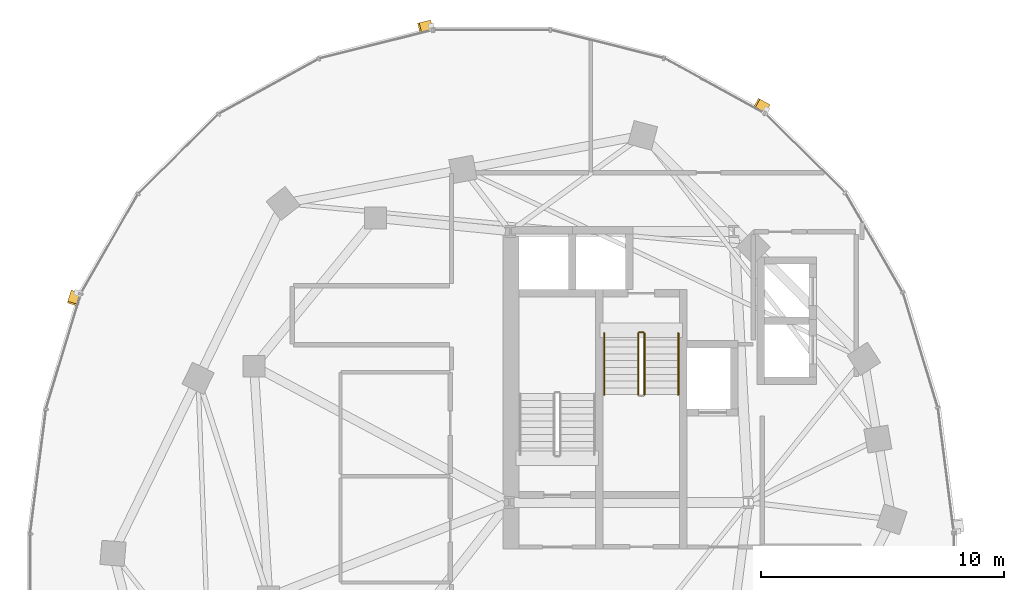
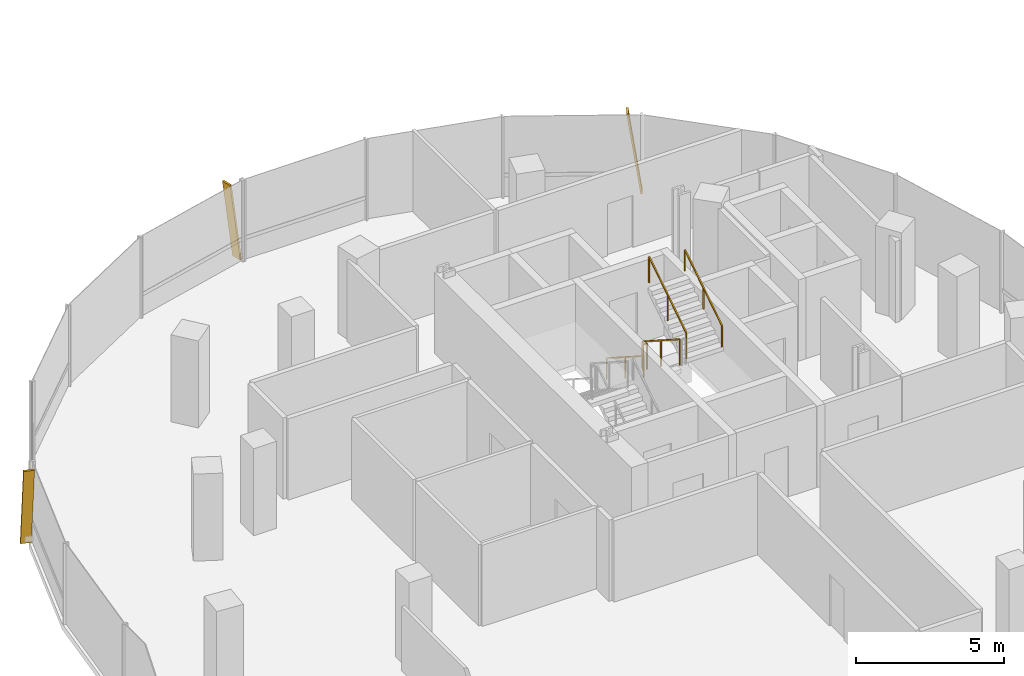
# One storey, part 19 of 21: 5 railings, 3 shading devices.
"""IFC4 building model written with IfcOpenShell, lengths in metres."""

from ifc_helpers import new_model, si_unit, direction, frame, origin, origin_2d, place, context, subcontext, project, spatial, rectangle, extrude, material, material_profile, profile_set, type_object, element, save


model = new_model("IFC4")

# Units and contexts
model_context = context("Model", 3, precision=1e-05, world=origin(), true_north=direction((0.0, 1.0)))
body_context = subcontext(model_context, "Body", "Model", "MODEL_VIEW")
ifc_project = project(units=[si_unit("LENGTHUNIT", "METRE"), si_unit("AREAUNIT", "SQUARE_METRE"), si_unit("VOLUMEUNIT", "CUBIC_METRE"), si_unit("PLANEANGLEUNIT", "RADIAN"), si_unit("MASSUNIT", "GRAM", prefix="KILO"), si_unit("THERMODYNAMICTEMPERATUREUNIT", "KELVIN"), si_unit("POWERUNIT", "WATT")], contexts=[model_context])

# Site, building, storey
site_placement = place(None, origin())
site = spatial("IfcSite", under=ifc_project, at=site_placement, CompositionType="ELEMENT")
building_placement = place(site_placement, origin())
building = spatial("IfcBuilding", under=site, at=building_placement, Name="Cundina Bronze Exchange", CompositionType="ELEMENT")
storey_placement = place(building_placement, frame((0.0, 0.0, 180.0)))
storey = spatial("IfcBuildingStorey", under=building, at=storey_placement, Name="L47", CompositionType="ELEMENT", Elevation=180.0)

# Railings
ifc_material_1 = material(Name="Steel ASTM A36 Painted", Category="steel")
railing_type_1 = type_object("IfcRailingType", Name="RLG-HND-900", PredefinedType="HANDRAIL", material=ifc_material_1)
railing_1_placement = place(storey_placement, frame((-27.389892578125, 10.85009765625, 0.179931640625)))
element("IfcRailing", 1, at=railing_1_placement, inside=storey, type_object=railing_type_1, Name="L47 ST-W2 stair handrail 1", PredefinedType="HANDRAIL", context=body_context, shape_type="SweptSolid", body=[
    extrude(rectangle(XDim=0.048095703125, YDim=0.048095703125, at=origin_2d()), frame((0.0, 0.0, 0.8759765625), z_axis=(0.0, -0.841162588446, 0.540782303519), x_axis=(1.0, 0.0, 0.0)), (0.0, 0.0, 1.0), 2.995849609375),
    extrude(rectangle(XDim=0.0419921875, YDim=0.0419921875, at=origin_2d()), origin(), (0.0, 0.0, 1.0), 0.851806640625),
    extrude(rectangle(XDim=0.0419921875, YDim=0.0419921875, at=origin_2d()), frame((0.0, -1.260009765625, 0.81005859375)), (0.0, 0.0, 1.0), 0.851806640625),
    extrude(rectangle(XDim=0.0419921875, YDim=0.0419921875, at=origin_2d()), frame((0.0, -2.52001953125, 1.6201171875)), (0.0, 0.0, 1.0), 0.851806640625),
])
railing_2_placement = place(storey_placement, frame((-24.330078125, 8.330078125, 1.97998046875)))
element("IfcRailing", 2, at=railing_2_placement, inside=storey, type_object=railing_type_1, Name="L47 ST-W2 stair handrail 2", PredefinedType="HANDRAIL", context=body_context, shape_type="SweptSolid", body=[
    extrude(rectangle(XDim=0.048095703125, YDim=0.048095703125, at=origin_2d()), frame((0.0, 0.0, 0.8759765625), z_axis=(0.0, 0.841162588446, 0.540782303519), x_axis=(-1.0, 0.0, 0.0)), (0.0, 0.0, 1.0), 2.995849609375),
    extrude(rectangle(XDim=0.0419921875, YDim=0.0419921875, at=origin_2d()), origin(), (0.0, 0.0, 1.0), 0.851806640625),
    extrude(rectangle(XDim=0.0419921875, YDim=0.0419921875, at=origin_2d()), frame((0.0, 1.260009765625, 0.81005859375)), (0.0, 0.0, 1.0), 0.851806640625),
    extrude(rectangle(XDim=0.0419921875, YDim=0.0419921875, at=origin_2d()), frame((0.0, 2.52001953125, 1.6201171875)), (0.0, 0.0, 1.0), 0.851806640625),
])
railing_type_2 = type_object("IfcRailingType", Name="RLG-STG-1100", PredefinedType="GUARDRAIL", material=ifc_material_1)
railing_3_placement = place(storey_placement, frame((-25.989990234375, 10.85009765625, 0.179931640625)))
element("IfcRailing", 3, at=railing_3_placement, inside=storey, type_object=railing_type_2, Name="L47 ST-W2 stair guard 1", PredefinedType="GUARDRAIL", context=body_context, shape_type="SweptSolid", body=[
    extrude(rectangle(XDim=0.048095703125, YDim=0.048095703125, at=origin_2d()), frame((0.0, 0.0, 1.076171875), z_axis=(0.0, -0.841162588446, 0.540782303519), x_axis=(1.0, 0.0, 0.0)), (0.0, 0.0, 1.0), 2.995849609375),
    extrude(rectangle(XDim=0.0419921875, YDim=0.0419921875, at=origin_2d()), origin(), (0.0, 0.0, 1.0), 1.052001953125),
    extrude(rectangle(XDim=0.0419921875, YDim=0.0419921875, at=origin_2d()), frame((0.0, -1.260009765625, 0.81005859375)), (0.0, 0.0, 1.0), 1.052001953125),
    extrude(rectangle(XDim=0.0419921875, YDim=0.0419921875, at=origin_2d()), frame((0.0, -2.52001953125, 1.6201171875)), (0.0, 0.0, 1.0), 1.052001953125),
])
railing_4_placement = place(storey_placement, frame((-25.72998046875, 8.330078125, 1.97998046875)))
element("IfcRailing", 4, at=railing_4_placement, inside=storey, type_object=railing_type_2, Name="L47 ST-W2 stair guard 3", PredefinedType="GUARDRAIL", context=body_context, shape_type="SweptSolid", body=[
    extrude(rectangle(XDim=0.048095703125, YDim=0.048095703125, at=origin_2d()), frame((0.0, 0.0, 1.076171875), z_axis=(0.0, 0.841162588446, 0.540782303519), x_axis=(-1.0, 0.0, 0.0)), (0.0, 0.0, 1.0), 2.995849609375),
    extrude(rectangle(XDim=0.0419921875, YDim=0.0419921875, at=origin_2d()), origin(), (0.0, 0.0, 1.0), 1.052001953125),
    extrude(rectangle(XDim=0.0419921875, YDim=0.0419921875, at=origin_2d()), frame((0.0, 1.260009765625, 0.81005859375)), (0.0, 0.0, 1.0), 1.052001953125),
    extrude(rectangle(XDim=0.0419921875, YDim=0.0419921875, at=origin_2d()), frame((0.0, 2.52001953125, 1.6201171875)), (0.0, 0.0, 1.0), 1.052001953125),
])
railing_5_placement = place(storey_placement, frame((-25.93994140625, 10.89990234375, 0.0)))
element("IfcRailing", 5, at=railing_5_placement, inside=storey, type_object=railing_type_2, Name="L47 ST-W2 stair guard 4", PredefinedType="GUARDRAIL", context=body_context, shape_type="SweptSolid", body=[
    extrude(rectangle(XDim=0.048095703125, YDim=0.048095703125, at=origin_2d()), frame((0.0, 0.0, 1.076171875), z_axis=(1.0, 0.0, 0.0), x_axis=(0.0, 1.0, 0.0)), (0.0, 0.0, 1.0), 0.159912109375),
    extrude(rectangle(XDim=0.0419921875, YDim=0.0419921875, at=origin_2d()), origin(), (0.0, 0.0, 1.0), 1.052001953125),
    extrude(rectangle(XDim=0.0419921875, YDim=0.0419921875, at=origin_2d()), frame((0.159912109375, 0.0, 0.0)), (0.0, 0.0, 1.0), 1.052001953125),
])

# Shading devices
ifc_material_2 = material(Name="Anodised Bronze Aluminium 6063-T6", Category="aluminium")
ifc_material_profile = material_profile(ifc_material_2, rectangle(XDim=0.070068359375, YDim=0.3798828125, at=origin_2d()), Name="FIN70X380", Category="aluminium")
ifc_profile_set = profile_set([ifc_material_profile], Name="Anodised Bronze Aluminium 6063-T6")
shading_device_type = type_object("IfcShadingDeviceType", Name="SHD-FIN-BRZ380", PredefinedType="USERDEFINED", material=ifc_profile_set)
for number, where, z_axis, x_axis, name in (
    (6, (-20.679931640625, 20.11181640625, 0.02001953125), (-0.125324460949, 0.068993954111, 0.989713905017), (0.867011652888, -0.477309551067, 0.143060778049), "L47 Diagonal Bronze Solar Fin 5"),
    (7, (-34.51953125, 23.556396484375, 0.02001953125), (-0.138788401144, -0.034715294885, 0.989713407007), (0.960133415413, 0.240159223467, 0.14306422331), "L47 Diagonal Bronze Solar Fin 1"),
    (8, (-49.151123046875, 12.5439453125, 0.02001953125), (-0.041483395017, -0.136967981441, 0.989706471636), (0.286882504107, 0.947215566191, 0.143112193758), "L47 Diagonal Bronze Solar Fin 5"),
):
    element("IfcShadingDevice", number, at=place(storey_placement, frame(where, z_axis=z_axis, x_axis=x_axis)), inside=storey, type_object=shading_device_type, Name=name, ObjectType="FIN", PredefinedType="USERDEFINED", context=body_context, shape_type="SweptSolid", body=[
        extrude(rectangle(XDim=0.070068359375, YDim=0.3798828125, at=origin_2d()), origin(), (0.0, 0.0, 1.0), 3.3544921875),
    ])

save(model, "model.ifc")
